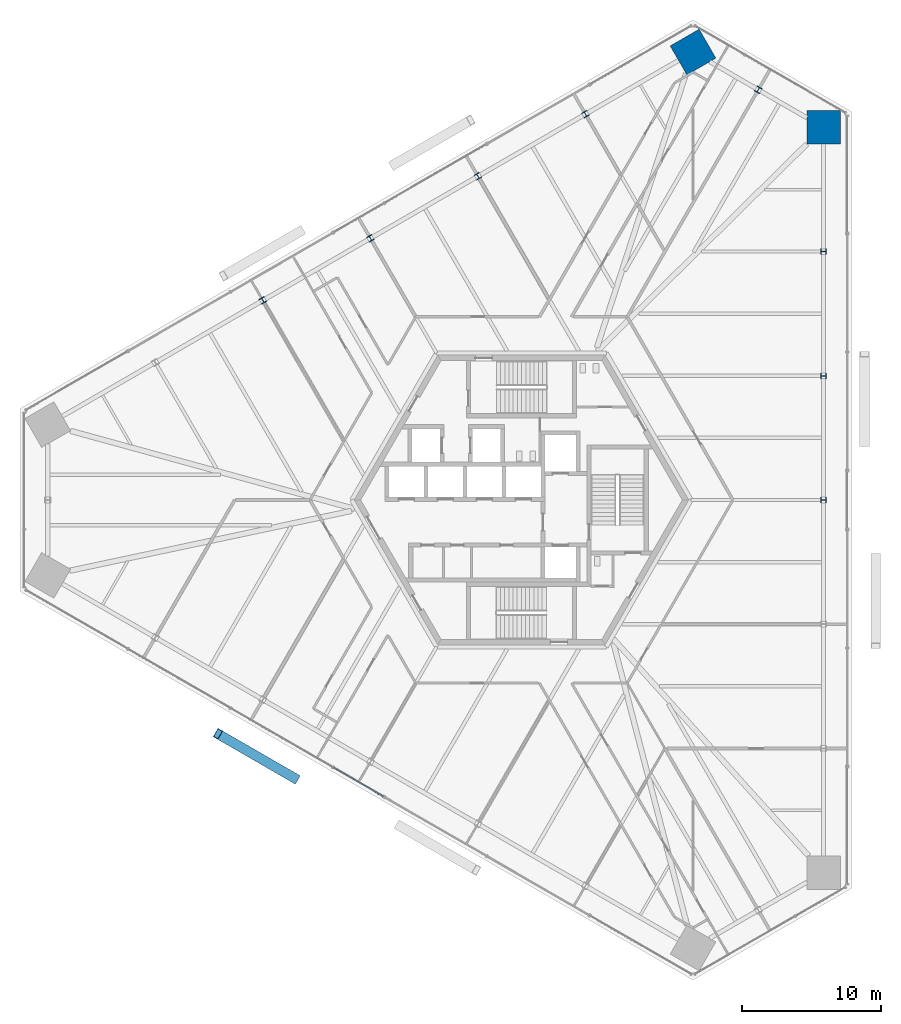
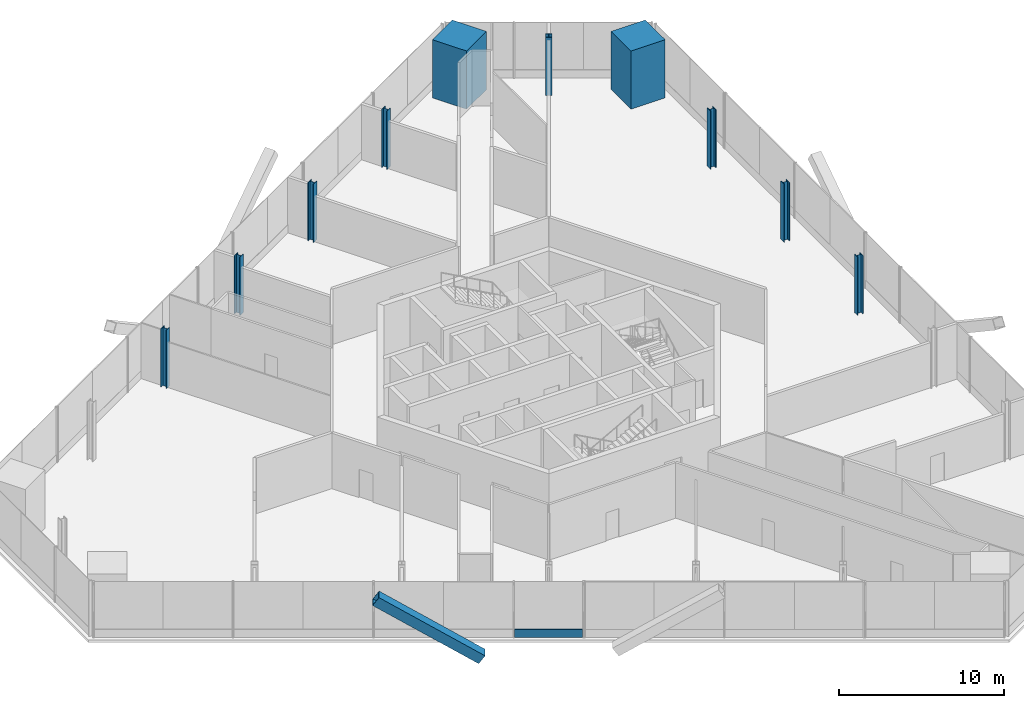
# One storey, part 2 of 16: 10 columns, 2 members, 1 element without a shape of its own.
"""IFC4 building model written with IfcOpenShell, lengths in metres."""

import ifcopenshell
import ifcopenshell.guid

model = None  # the IFC model being written
_history = None  # IfcOwnerHistory: only IFC2X3 demands one
_inside = {}  # id of a spatial element -> (the spatial element, [elements in it])
_under = {}  # id of a project, library or spatial element -> (it, [spatial elements below it])
_declared = {}  # id of a project -> (the project, [libraries it declares])
_typed = {}  # id of a type object -> (the type object, [elements of that type])
_made_of = {}  # id of a material, layer set ... -> (it, [elements and type objects made of it])


def new_model(schema):
    """Start an empty IFC model of exactly this schema.

    Asked for "IFC4X3", IfcOpenShell would pick the latest addendum, in which some entities
    have other attributes; the version numbers below select the first issue.
    IFC2X3 requires an IfcOwnerHistory on every rooted entity: one is made here for all.
    """
    global model, _history
    if schema == "IFC4X3":
        model = ifcopenshell.file(schema_version=(4, 3, 0, 0))
    else:
        model = ifcopenshell.file(schema=schema)
    _inside.clear()
    _under.clear()
    _declared.clear()
    _typed.clear()
    _made_of.clear()
    _history = None
    if model.schema == "IFC2X3":
        org = make("IfcOrganization", Name="unknown")
        user = make(
            "IfcPersonAndOrganization",
            ThePerson=make("IfcPerson", FamilyName="unknown"),
            TheOrganization=org,
        )
        app = make(
            "IfcApplication",
            ApplicationDeveloper=org,
            Version="unknown",
            ApplicationFullName="unknown",
            ApplicationIdentifier="unknown",
        )
        _history = make(
            "IfcOwnerHistory",
            OwningUser=user,
            OwningApplication=app,
            ChangeAction="ADDED",
            CreationDate=0,
        )
    return model


def make(cls, **values):
    """One entity of the class cls with the attributes given. An attribute that is None is left unset."""
    return model.create_entity(
        cls, **{name: value for name, value in values.items() if value is not None}
    )


def rooted(cls, **values):
    """An entity with a GlobalId (a new one), such as an element, a storey or a relation."""
    return make(cls, GlobalId=ifcopenshell.guid.new(), OwnerHistory=_history, **values)


def si_unit(unit_type, name, prefix=None):
    """IfcSIUnit, for example si_unit("LENGTHUNIT", "METRE", prefix="MILLI")."""
    return make("IfcSIUnit", UnitType=unit_type, Prefix=prefix, Name=name)


def assignment(units):
    """IfcUnitAssignment: the units of a project."""
    return None if units is None else make("IfcUnitAssignment", Units=units)


def point(xyz):
    """IfcCartesianPoint."""
    return None if xyz is None else make("IfcCartesianPoint", Coordinates=xyz)


def direction(xyz):
    """IfcDirection."""
    return None if xyz is None else make("IfcDirection", DirectionRatios=xyz)


def frame(location, z_axis=None, x_axis=None):
    """IfcAxis2Placement3D, a coordinate frame: its origin and axes. An axis left out is left unset."""
    return make(
        "IfcAxis2Placement3D",
        Location=point(location),
        Axis=direction(z_axis),
        RefDirection=direction(x_axis),
    )


def frame_2d(location, x_axis=None):
    """IfcAxis2Placement2D, a coordinate frame in the plane: its origin and x axis."""
    return make(
        "IfcAxis2Placement2D", Location=point(location), RefDirection=direction(x_axis)
    )


def origin():
    """The frame at (0, 0, 0) with its axes left unset."""
    return frame((0.0, 0.0, 0.0))


def origin_2d():
    """The frame at (0, 0) in the plane with its x axis left unset."""
    return frame_2d((0.0, 0.0))


def place(relative_to, where):
    """IfcLocalPlacement: puts the frame where relative to a parent placement (None: the world)."""
    return make(
        "IfcLocalPlacement", PlacementRelTo=relative_to, RelativePlacement=where
    )


def context(
    kind, dimensions, precision=None, world=None, true_north=None, identifier=None
):
    """IfcGeometricRepresentationContext, for example the 3D "Model" context."""
    return make(
        "IfcGeometricRepresentationContext",
        ContextIdentifier=identifier,
        ContextType=kind,
        CoordinateSpaceDimension=dimensions,
        Precision=precision,
        WorldCoordinateSystem=world,
        TrueNorth=true_north,
    )


def subcontext(parent, identifier, kind, view, scale=None):
    """IfcGeometricRepresentationSubContext, for example "Body" below "Model"."""
    return make(
        "IfcGeometricRepresentationSubContext",
        ContextIdentifier=identifier,
        ContextType=kind,
        ParentContext=parent,
        TargetScale=scale,
        TargetView=view,
    )


def project(units=None, contexts=None):
    """IfcProject with its units and contexts."""
    return rooted(
        "IfcProject",
        Name="project",
        RepresentationContexts=contexts,
        UnitsInContext=assignment(units),
    )


def spatial(cls, under=None, at=None, **own):
    """A site, building, storey or space (cls), placed at a placement, below another one or the project."""
    s = rooted(cls, ObjectPlacement=at, **own)
    if under is not None:
        _under.setdefault(under.id(), (under, []))[1].append(s)
    return s


def profile(cls, at=None, kind="AREA", **sizes):
    """A parametric profile (cls). Its sizes go by their IFC names, for example OverallWidth=200.0."""
    return make(cls, ProfileType=kind, Position=at, **sizes)


def rectangle(**sizes):
    """IfcRectangleProfileDef."""
    return profile("IfcRectangleProfileDef", **sizes)


def hollow_rectangle(**sizes):
    """IfcRectangleHollowProfileDef."""
    return profile("IfcRectangleHollowProfileDef", **sizes)


def i_section(**sizes):
    """IfcIShapeProfileDef."""
    return profile("IfcIShapeProfileDef", **sizes)


def extrude(swept, where, along, depth):
    """IfcExtrudedAreaSolid: the profile swept, set in the frame where, extruded along a direction by depth."""
    return make(
        "IfcExtrudedAreaSolid",
        SweptArea=swept,
        Position=where,
        ExtrudedDirection=direction(along),
        Depth=depth,
    )


def shape(context_of_items, identifier, shape_type, items):
    """IfcShapeRepresentation: the items that make up one representation, for example the "Body"."""
    return make(
        "IfcShapeRepresentation",
        ContextOfItems=context_of_items,
        RepresentationIdentifier=identifier,
        RepresentationType=shape_type,
        Items=items,
    )


def source(mapping_origin, context_of_items, identifier, shape_type, items):
    """IfcRepresentationMap: a shape defined once, which mapped items show again and again."""
    return make(
        "IfcRepresentationMap",
        MappingOrigin=mapping_origin,
        MappedRepresentation=shape(context_of_items, identifier, shape_type, items),
    )


def transform(
    local_origin,
    x_axis=None,
    y_axis=None,
    z_axis=None,
    scale=None,
    scale2=None,
    scale3=None,
    uniform=True,
):
    """IfcCartesianTransformationOperator3D, or its non-uniform kind. x_axis, y_axis, z_axis: its Axis1, 2, 3."""
    if uniform:
        return make(
            "IfcCartesianTransformationOperator3D",
            Axis1=direction(x_axis),
            Axis2=direction(y_axis),
            LocalOrigin=point(local_origin),
            Scale=scale,
            Axis3=direction(z_axis),
        )
    return make(
        "IfcCartesianTransformationOperator3DnonUniform",
        Axis1=direction(x_axis),
        Axis2=direction(y_axis),
        LocalOrigin=point(local_origin),
        Scale=scale,
        Axis3=direction(z_axis),
        Scale2=scale2,
        Scale3=scale3,
    )


def mapped(mapping_source, mapping_target):
    """IfcMappedItem: shows the shape of a source again, moved by a transform."""
    return make(
        "IfcMappedItem", MappingSource=mapping_source, MappingTarget=mapping_target
    )


def material(Name=None, Category=None):
    """IfcMaterial."""
    return make("IfcMaterial", Name=Name, Category=Category)


def material_profile(
    of_material, cross_section, Name=None, Category=None, Priority=None
):
    """IfcMaterialProfile: a cross section and its material."""
    return make(
        "IfcMaterialProfile",
        Name=Name,
        Material=of_material,
        Profile=cross_section,
        Priority=Priority,
        Category=Category,
    )


def profile_set(profiles, Name=None, composite=None):
    """IfcMaterialProfileSet."""
    return make(
        "IfcMaterialProfileSet",
        Name=Name,
        MaterialProfiles=profiles,
        CompositeProfile=composite,
    )


def made_of(thing, what):
    """Note that an element or type object is made of a material, layer set ...; save() writes the relation."""
    if what is not None:
        _made_of.setdefault(what.id(), (what, []))[1].append(thing)
    return thing


def type_object(cls, material=None, **own):
    """A type object (cls), such as IfcWallType, which elements share."""
    return made_of(rooted(cls, **own), material)


def element(
    cls,
    number,
    at=None,
    inside=None,
    cuts=None,
    type_object=None,
    material=None,
    context=None,
    identifier="Body",
    shape_type=None,
    held_by="IfcProductDefinitionShape",
    body=None,
    shapes=None,
    **own,
):
    """One element of the class cls, such as IfcWall. Its Tag is "e" and its number.

    at: its placement. inside: the storey or other place that contains it. cuts: it is an
    opening in that element (IfcRelVoidsElement). A single representation is given by context,
    identifier, shape_type and body (its items); several are given by shapes. held_by: the class
    of the entity that holds the representations. save() writes the other relations.
    """
    e = rooted(cls, Tag="e%d" % number, ObjectPlacement=at, **own)
    if body is not None:
        shapes = [shape(context, identifier, shape_type, body)]
    if shapes is not None:
        e.Representation = make(held_by, Representations=shapes)
    if inside is not None:
        _inside.setdefault(inside.id(), (inside, []))[1].append(e)
    if cuts is not None:
        rooted(
            "IfcRelVoidsElement", RelatingBuildingElement=cuts, RelatedOpeningElement=e
        )
    if type_object is not None:
        _typed.setdefault(type_object.id(), (type_object, []))[1].append(e)
    return made_of(e, material)


def aggregate(whole, parts):
    """IfcRelAggregates: a whole, such as a stair, and the parts it consists of."""
    return rooted("IfcRelAggregates", RelatingObject=whole, RelatedObjects=parts)


def save(model, path):
    """Write the relations noted so far, then the file.

    IfcRelAggregates (storeys below a building ...), IfcRelContainedInSpatialStructure (elements
    in a storey), IfcRelDefinesByType, IfcRelAssociatesMaterial and IfcRelDeclares: one each for
    every whole, place, type object, material and project.
    """
    for whole, parts in _under.values():
        aggregate(whole, parts)
    for where, things in _inside.values():
        rooted(
            "IfcRelContainedInSpatialStructure",
            RelatedElements=things,
            RelatingStructure=where,
        )
    for kind, things in _typed.values():
        rooted("IfcRelDefinesByType", RelatedObjects=things, RelatingType=kind)
    for what, things in _made_of.values():
        rooted("IfcRelAssociatesMaterial", RelatedObjects=things, RelatingMaterial=what)
    for by, libraries in _declared.values():
        rooted("IfcRelDeclares", RelatingContext=by, RelatedDefinitions=libraries)
    model.write(path)


model = new_model("IFC4")

# Units and contexts
model_context = context("Model", 3, precision=1e-05, world=origin(), true_north=direction((0.0, 1.0)))
body_context = subcontext(model_context, "Body", "Model", "MODEL_VIEW")
ifc_project = project(units=[si_unit("LENGTHUNIT", "METRE"), si_unit("AREAUNIT", "SQUARE_METRE"), si_unit("VOLUMEUNIT", "CUBIC_METRE"), si_unit("PLANEANGLEUNIT", "RADIAN"), si_unit("MASSUNIT", "GRAM", prefix="KILO")], contexts=[model_context])

# Site, building, storey
site_placement = place(None, origin())
site = spatial("IfcSite", under=ifc_project, at=site_placement, CompositionType="ELEMENT")
building_placement = place(site_placement, origin())
building = spatial("IfcBuilding", under=site, at=building_placement, Name="Triune Harvest Tower", CompositionType="ELEMENT")
storey_placement = place(building_placement, frame((0.0, 0.0, 37.5)))
storey = spatial("IfcBuildingStorey", under=building, at=storey_placement, Name="L08", CompositionType="ELEMENT", Elevation=37.5)

# Columns
ifc_material_1 = material(Name="Concrete 70 MPa", Category="concrete")
ifc_material_profile_1 = material_profile(ifc_material_1, rectangle(XDim=2.39990234375, YDim=2.39990234375, at=origin_2d()), Name="Composite 2400x2400")
ifc_profile_set_1 = profile_set([ifc_material_profile_1], Name="Concrete 70 MPa")
column_type_1 = type_object("IfcColumnType", Name="MC-1 Mega column Composite 2400x2400", PredefinedType="COLUMN", material=ifc_profile_set_1)
shared_shape_1 = source(origin(), body_context, "Body", "SweptSolid", [
    extrude(rectangle(XDim=2.39990234375, YDim=2.39990234375, at=origin_2d()), origin(), (0.0, 0.0, 1.0), 4.300048828125),
])
for number, where, z_axis, x_axis, name in (
    (1, (21.679443359375, 26.72998046875, 0.0), (0.0, 0.0, 1.0), (0.0, 1.0, 0.0), "col/L08/M6"),
    (2, (12.30908203125, 32.139892578125, 0.0), (0.0, 0.0, 1.0), (-0.866025403784, -0.5, 0.0), "col/L08/M8"),
):
    element("IfcColumn", number, at=place(storey_placement, frame(where, z_axis=z_axis, x_axis=x_axis)), inside=storey, type_object=column_type_1, Name=name, PredefinedType="COLUMN", context=body_context, shape_type="MappedRepresentation", body=[
        mapped(shared_shape_1, transform((0.0, 0.0, 0.0), scale=1.0)),
    ])
ifc_material_2 = material(Name="Steel ASTM A992 Gr 50", Category="steel")
ifc_material_profile_2 = material_profile(ifc_material_2, i_section(OverallWidth=0.40380859375, OverallDepth=0.406494140625, WebThickness=0.027099609375, FlangeThickness=0.043701171875, at=origin_2d()), Name="W14x233")
ifc_profile_set_2 = profile_set([ifc_material_profile_2], Name="Steel ASTM A992 Gr 50")
column_type_2 = type_object("IfcColumnType", Name="PC-1 Perimeter column W14x233", PredefinedType="COLUMN", material=ifc_profile_set_2)
shared_shape_2 = source(origin(), body_context, "Body", "SweptSolid", [
    extrude(i_section(OverallWidth=0.40380859375, OverallDepth=0.406494140625, WebThickness=0.027099609375, FlangeThickness=0.043701171875, at=origin_2d()), origin(), (0.0, 0.0, 1.0), 4.300048828125),
])
for number, where, z_axis, x_axis, name in (
    (3, (21.679443359375, 0.0, 0.0), (0.0, 0.0, 1.0), (0.0, 1.0, 0.0), "col/L08/P3"),
    (4, (21.679443359375, 8.909912109375, 0.0), (0.0, 0.0, 1.0), (0.0, 1.0, 0.0), "col/L08/P4"),
    (5, (21.679443359375, 17.820068359375, 0.0), (0.0, 0.0, 1.0), (0.0, 1.0, 0.0), "col/L08/P5"),
    (6, (16.994384765625, 29.43505859375, 0.0), (0.0, 0.0, 1.0), (-0.866026276448, 0.4999984885, 0.0), "col/L08/P7"),
    (7, (4.5927734375, 27.68505859375, 0.0), (0.0, 0.0, 1.0), (-0.866025403784, -0.5, 0.0), "col/L08/P9"),
    (8, (-3.12353515625, 23.22998046875, 0.0), (0.0, 0.0, 1.0), (-0.866025403784, -0.5, 0.0), "col/L08/P10"),
    (9, (-10.839599609375, 18.77490234375, 0.0), (0.0, 0.0, 1.0), (-0.866025403784, -0.5, 0.0), "col/L08/P11"),
    (10, (-18.555908203125, 14.320068359375, 0.0), (0.0, 0.0, 1.0), (-0.866025403784, -0.5, 0.0), "col/L08/P12"),
):
    element("IfcColumn", number, at=place(storey_placement, frame(where, z_axis=z_axis, x_axis=x_axis)), inside=storey, type_object=column_type_2, Name=name, PredefinedType="COLUMN", context=body_context, shape_type="MappedRepresentation", body=[
        mapped(shared_shape_2, transform((0.0, 0.0, 0.0), scale=1.0)),
    ])

# Member
ifc_material_3 = material(Name="Steel ASTM A572 Gr 50", Category="steel")
ifc_material_profile_3 = material_profile(ifc_material_3, hollow_rectangle(XDim=0.699951171875, YDim=0.699951171875, WallThickness=0.0400390625, at=origin_2d()), Name="Box 700x700x40")
ifc_profile_set_3 = profile_set([ifc_material_profile_3], Name="Steel ASTM A572 Gr 50")
member_type_1 = type_object("IfcMemberType", Name="BR-1 Brace Box 700x700x40", PredefinedType="BRACE", material=ifc_profile_set_3)
shared_shape_3 = source(origin(), body_context, "Body", "SweptSolid", [
    extrude(hollow_rectangle(XDim=0.699951171875, YDim=0.699951171875, WallThickness=0.0400390625, at=origin_2d()), origin(), (0.0, 0.0, 1.0), 7.728515625),
])
member_1_placement = place(storey_placement, frame((-16.218017578125, -19.990478515625, 0.0), z_axis=(-0.719613461056, 0.415436199576, 0.556389459595), x_axis=(-0.499970370671, -0.86604250961, 0.0)))
element("IfcMember", 11, at=member_1_placement, inside=storey, type_object=member_type_1, Name="brace/B1-F5/d2/6", PredefinedType="BRACE", context=body_context, shape_type="MappedRepresentation", body=[
    mapped(shared_shape_3, transform((0.0, 0.0, 0.0), scale=1.0)),
])

# Curtain wall, member
ifc_material_4 = material(Name="Aluminium bronze anodised", Category="aluminium")
curtain_wall_type = type_object("IfcCurtainWallType", Name="CW-3 Farm floor curtain wall", PredefinedType="NOTDEFINED", material=ifc_material_4)
curtain_wall_placement = place(storey_placement, origin())
curtain_wall = element("IfcCurtainWall", 12, at=curtain_wall_placement, inside=storey, type_object=curtain_wall_type, Name="CW-3 B1-F5 L08 run 1")
ifc_material_5 = material(Name="Aluminium bronze anodised", Category="aluminium")
ifc_material_profile_4 = material_profile(ifc_material_5, rectangle(XDim=0.090087890625, YDim=0.60009765625, at=origin_2d()), Name="TR-3 transom 90 x 600")
ifc_profile_set_4 = profile_set([ifc_material_profile_4], Name="Aluminium bronze anodised")
member_type_2 = type_object("IfcMemberType", Name="TR-3 transom 90 x 600", PredefinedType="USERDEFINED", material=ifc_profile_set_4)
shared_shape_4 = source(origin(), body_context, "Body", "SweptSolid", [
    extrude(rectangle(XDim=0.090087890625, YDim=0.60009765625, at=origin_2d()), origin(), (0.0, 0.0, 1.0), 4.128662109375),
])
member_2_placement = place(storey_placement, frame((-13.49072265625, -19.197998046875, 0.300048828125), z_axis=(0.86600734348, -0.500031280059, 0.0), x_axis=(0.500031280059, 0.86600734348, 0.0)))
member_2 = element("IfcMember", 13, at=member_2_placement, type_object=member_type_2, Name="CW-3 transom B1-F5 1.4", ObjectType="TRANSOM", PredefinedType="USERDEFINED", context=body_context, shape_type="MappedRepresentation", body=[
    mapped(shared_shape_4, transform((0.0, 0.0, 0.0), scale=1.0)),
])
aggregate(curtain_wall, [member_2])

save(model, "model.ifc")
